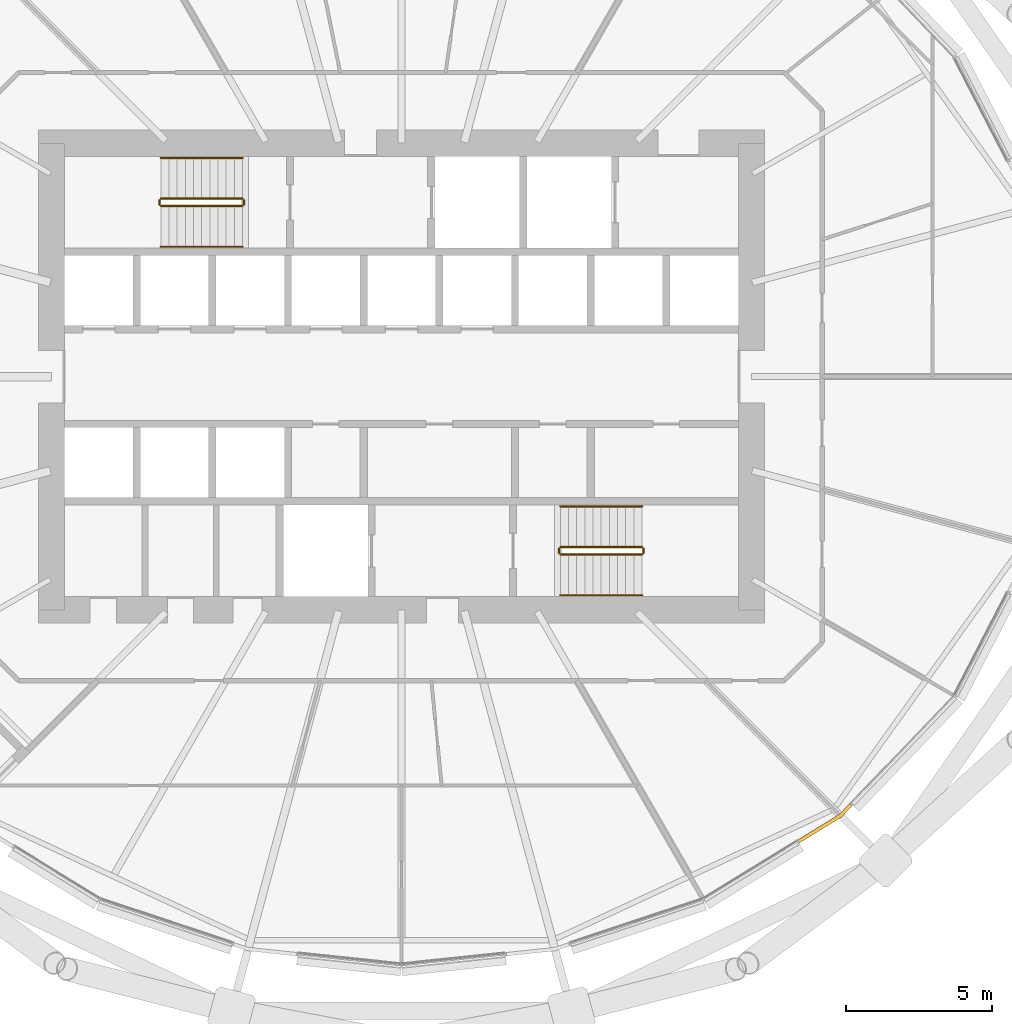
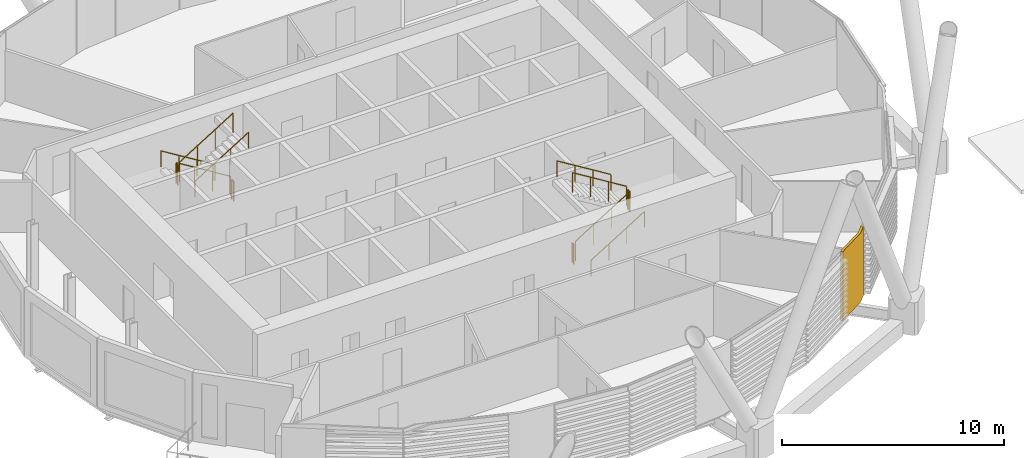
# One storey, part 30 of 34: 12 railings, 1 covering.
"""IFC4 building model written with IfcOpenShell, lengths in metres."""

from ifc_helpers import new_model, si_unit, direction, frame, origin, origin_2d, place, context, subcontext, project, spatial, polyline, circle, outline, extrude, material, layer, layer_set, type_object, element, save


model = new_model("IFC4")

# Units and contexts
model_context = context("Model", 3, precision=1e-05, world=origin(), true_north=direction((0.0, 1.0)))
body_context = subcontext(model_context, "Body", "Model", "MODEL_VIEW")
ifc_project = project(units=[si_unit("LENGTHUNIT", "METRE"), si_unit("AREAUNIT", "SQUARE_METRE"), si_unit("VOLUMEUNIT", "CUBIC_METRE"), si_unit("PLANEANGLEUNIT", "RADIAN"), si_unit("MASSUNIT", "GRAM", prefix="KILO")], contexts=[model_context])

# Site, building, storey
site_placement = place(None, origin())
site = spatial("IfcSite", under=ifc_project, at=site_placement, CompositionType="ELEMENT")
building_placement = place(site_placement, origin())
building = spatial("IfcBuilding", under=site, at=building_placement, Name="Rimbun Link Towers", CompositionType="ELEMENT")
storey_placement = place(building_placement, frame((0.0, 0.0, 41.39990234375)))
storey = spatial("IfcBuildingStorey", under=building, at=storey_placement, Name="L09", CompositionType="ELEMENT", Elevation=41.39990234375)

# Covering
ifc_material_1 = material(Name="Terracotta", Category="masonry")
ifc_layer = layer(ifc_material_1, 0.1201171875)
ifc_layer_set = layer_set([ifc_layer], Name="LINK PIER terracotta cladding 120")
covering_type = type_object("IfcCoveringType", Name="LINK PIER terracotta cladding 120", PredefinedType="CLADDING", material=ifc_layer_set)
covering_placement = place(storey_placement, origin())
element("IfcCovering", 1, at=covering_placement, inside=storey, type_object=covering_type, Name="LINK PIER cladding", PredefinedType="CLADDING", context=body_context, shape_type="SweptSolid", body=[
    extrude(outline(polyline([(-16.376953125, -14.637939453125), (-16.73681640625, -15.01318359375), (-18.159912109375, -15.886962890625), (-18.09716796875, -15.9892578125), (-16.660888671875, -15.107421875), (-16.290283203125, -14.720947265625), (-16.376953125, -14.637939453125)])), origin(), (0.0, 0.0, 1.0), 3.800048828125),
])

# Railings
ifc_material_2 = material(Name="Stainless steel grade 316", Category="steel")
railing_type_1 = type_object("IfcRailingType", Name="Stair guard", PredefinedType="GUARDRAIL", material=ifc_material_2)
railing_1_placement = place(storey_placement, frame((-37.199951171875, 6.10009765625, 0.1728515625)))
element("IfcRailing", 2, at=railing_1_placement, inside=storey, type_object=railing_type_1, Name="L09 ST1 stair guard 1", PredefinedType="GUARDRAIL", context=body_context, shape_type="SweptSolid", body=[
    extrude(circle(Radius=0.02392578125, at=origin_2d()), frame((0.0, 0.0, 1.076171875), z_axis=(-0.851089632645, 0.0, 0.525020415988), x_axis=(0.0, -1.0, 0.0)), (0.0, 0.0, 1.0), 3.2900390625),
    extrude(circle(Radius=0.02099609375, at=origin_2d()), origin(), (0.0, 0.0, 1.0), 1.052001953125),
    extrude(circle(Radius=0.02099609375, at=origin_2d()), frame((-0.933349609375, 0.0, 0.57568359375)), (0.0, 0.0, 1.0), 1.052001953125),
    extrude(circle(Radius=0.02099609375, at=origin_2d()), frame((-1.86669921875, 0.0, 1.151611328125)), (0.0, 0.0, 1.0), 1.052001953125),
    extrude(circle(Radius=0.02099609375, at=origin_2d()), frame((-2.800048828125, 0.0, 1.727294921875)), (0.0, 0.0, 1.0), 1.052001953125),
])
railing_2_placement = place(storey_placement, frame((-40.050048828125, 6.050048828125, 1.900146484375)))
element("IfcRailing", 3, at=railing_2_placement, inside=storey, type_object=railing_type_1, Name="L09 ST1 stair guard 2", PredefinedType="GUARDRAIL", context=body_context, shape_type="SweptSolid", body=[
    extrude(circle(Radius=0.02392578125, at=origin_2d()), frame((0.0, 0.0, 1.076171875), z_axis=(0.0, -1.0, 0.0), x_axis=(1.0, 0.0, 0.0)), (0.0, 0.0, 1.0), 0.150146484375),
    extrude(circle(Radius=0.02099609375, at=origin_2d()), origin(), (0.0, 0.0, 1.0), 1.052001953125),
    extrude(circle(Radius=0.02099609375, at=origin_2d()), frame((0.0, -0.150146484375, 0.0)), (0.0, 0.0, 1.0), 1.052001953125),
])
railing_3_placement = place(storey_placement, frame((-40.0, 5.85009765625, 2.07275390625)))
element("IfcRailing", 4, at=railing_3_placement, inside=storey, type_object=railing_type_1, Name="L09 ST1 stair guard 3", PredefinedType="GUARDRAIL", context=body_context, shape_type="SweptSolid", body=[
    extrude(circle(Radius=0.02392578125, at=origin_2d()), frame((0.0, 0.0, 1.076171875), z_axis=(0.851089632645, 0.0, 0.525020415988), x_axis=(0.0, 1.0, 0.0)), (0.0, 0.0, 1.0), 3.2900390625),
    extrude(circle(Radius=0.02099609375, at=origin_2d()), origin(), (0.0, 0.0, 1.0), 1.052001953125),
    extrude(circle(Radius=0.02099609375, at=origin_2d()), frame((0.933349609375, 0.0, 0.57568359375)), (0.0, 0.0, 1.0), 1.052001953125),
    extrude(circle(Radius=0.02099609375, at=origin_2d()), frame((1.86669921875, 0.0, 1.151611328125)), (0.0, 0.0, 1.0), 1.052001953125),
    extrude(circle(Radius=0.02099609375, at=origin_2d()), frame((2.800048828125, 0.0, 1.727294921875)), (0.0, 0.0, 1.0), 1.052001953125),
])
railing_4_placement = place(storey_placement, frame((-37.14990234375, 6.050048828125, 0.0)))
element("IfcRailing", 5, at=railing_4_placement, inside=storey, type_object=railing_type_1, Name="L09 ST1 stair guard 4", PredefinedType="GUARDRAIL", context=body_context, shape_type="SweptSolid", body=[
    extrude(circle(Radius=0.02392578125, at=origin_2d()), frame((0.0, 0.0, 1.076171875), z_axis=(0.0, -1.0, 0.0), x_axis=(1.0, 0.0, 0.0)), (0.0, 0.0, 1.0), 0.150146484375),
    extrude(circle(Radius=0.02099609375, at=origin_2d()), origin(), (0.0, 0.0, 1.0), 1.052001953125),
    extrude(circle(Radius=0.02099609375, at=origin_2d()), frame((0.0, -0.150146484375, 0.0)), (0.0, 0.0, 1.0), 1.052001953125),
])
railing_5_placement = place(storey_placement, frame((-26.300048828125, -6.10009765625, 0.1728515625)))
element("IfcRailing", 6, at=railing_5_placement, inside=storey, type_object=railing_type_1, Name="L09 ST2 stair guard 1", PredefinedType="GUARDRAIL", context=body_context, shape_type="SweptSolid", body=[
    extrude(circle(Radius=0.02392578125, at=origin_2d()), frame((0.0, 0.0, 1.076171875), z_axis=(0.851089632645, 0.0, 0.525020415988), x_axis=(0.0, 1.0, 0.0)), (0.0, 0.0, 1.0), 3.2900390625),
    extrude(circle(Radius=0.02099609375, at=origin_2d()), origin(), (0.0, 0.0, 1.0), 1.052001953125),
    extrude(circle(Radius=0.02099609375, at=origin_2d()), frame((0.933349609375, 0.0, 0.57568359375)), (0.0, 0.0, 1.0), 1.052001953125),
    extrude(circle(Radius=0.02099609375, at=origin_2d()), frame((1.86669921875, 0.0, 1.151611328125)), (0.0, 0.0, 1.0), 1.052001953125),
    extrude(circle(Radius=0.02099609375, at=origin_2d()), frame((2.800048828125, 0.0, 1.727294921875)), (0.0, 0.0, 1.0), 1.052001953125),
])
railing_6_placement = place(storey_placement, frame((-23.449951171875, -6.050048828125, 1.900146484375)))
element("IfcRailing", 7, at=railing_6_placement, inside=storey, type_object=railing_type_1, Name="L09 ST2 stair guard 2", PredefinedType="GUARDRAIL", context=body_context, shape_type="SweptSolid", body=[
    extrude(circle(Radius=0.02392578125, at=origin_2d()), frame((0.0, 0.0, 1.076171875), z_axis=(0.0, 1.0, 0.0), x_axis=(-1.0, 0.0, 0.0)), (0.0, 0.0, 1.0), 0.150146484375),
    extrude(circle(Radius=0.02099609375, at=origin_2d()), origin(), (0.0, 0.0, 1.0), 1.052001953125),
    extrude(circle(Radius=0.02099609375, at=origin_2d()), frame((0.0, 0.150146484375, 0.0)), (0.0, 0.0, 1.0), 1.052001953125),
])
railing_7_placement = place(storey_placement, frame((-23.5, -5.85009765625, 2.07275390625)))
element("IfcRailing", 8, at=railing_7_placement, inside=storey, type_object=railing_type_1, Name="L09 ST2 stair guard 3", PredefinedType="GUARDRAIL", context=body_context, shape_type="SweptSolid", body=[
    extrude(circle(Radius=0.02392578125, at=origin_2d()), frame((0.0, 0.0, 1.076171875), z_axis=(-0.851089632645, 0.0, 0.525020415988), x_axis=(0.0, -1.0, 0.0)), (0.0, 0.0, 1.0), 3.2900390625),
    extrude(circle(Radius=0.02099609375, at=origin_2d()), origin(), (0.0, 0.0, 1.0), 1.052001953125),
    extrude(circle(Radius=0.02099609375, at=origin_2d()), frame((-0.933349609375, 0.0, 0.57568359375)), (0.0, 0.0, 1.0), 1.052001953125),
    extrude(circle(Radius=0.02099609375, at=origin_2d()), frame((-1.86669921875, 0.0, 1.151611328125)), (0.0, 0.0, 1.0), 1.052001953125),
    extrude(circle(Radius=0.02099609375, at=origin_2d()), frame((-2.800048828125, 0.0, 1.727294921875)), (0.0, 0.0, 1.0), 1.052001953125),
])
railing_8_placement = place(storey_placement, frame((-26.35009765625, -6.050048828125, 0.0)))
element("IfcRailing", 9, at=railing_8_placement, inside=storey, type_object=railing_type_1, Name="L09 ST2 stair guard 4", PredefinedType="GUARDRAIL", context=body_context, shape_type="SweptSolid", body=[
    extrude(circle(Radius=0.02392578125, at=origin_2d()), frame((0.0, 0.0, 1.076171875), z_axis=(0.0, 1.0, 0.0), x_axis=(-1.0, 0.0, 0.0)), (0.0, 0.0, 1.0), 0.150146484375),
    extrude(circle(Radius=0.02099609375, at=origin_2d()), origin(), (0.0, 0.0, 1.0), 1.052001953125),
    extrude(circle(Radius=0.02099609375, at=origin_2d()), frame((0.0, 0.150146484375, 0.0)), (0.0, 0.0, 1.0), 1.052001953125),
])
ifc_material_3 = material(Name="Stainless steel grade 316", Category="steel")
railing_type_2 = type_object("IfcRailingType", Name="Stair handrail", PredefinedType="HANDRAIL", material=ifc_material_3)
railing_9_placement = place(storey_placement, frame((-37.199951171875, 7.5, 0.1728515625)))
element("IfcRailing", 10, at=railing_9_placement, inside=storey, type_object=railing_type_2, Name="L09 ST1 stair handrail 1", PredefinedType="HANDRAIL", context=body_context, shape_type="SweptSolid", body=[
    extrude(circle(Radius=0.02392578125, at=origin_2d()), frame((0.0, 0.0, 0.8759765625), z_axis=(-0.851089632645, 0.0, 0.525020415988), x_axis=(0.0, -1.0, 0.0)), (0.0, 0.0, 1.0), 3.2900390625),
    extrude(circle(Radius=0.02099609375, at=origin_2d()), origin(), (0.0, 0.0, 1.0), 0.851806640625),
    extrude(circle(Radius=0.02099609375, at=origin_2d()), frame((-0.933349609375, 0.0, 0.57568359375)), (0.0, 0.0, 1.0), 0.851806640625),
    extrude(circle(Radius=0.02099609375, at=origin_2d()), frame((-1.86669921875, 0.0, 1.151611328125)), (0.0, 0.0, 1.0), 0.851806640625),
    extrude(circle(Radius=0.02099609375, at=origin_2d()), frame((-2.800048828125, 0.0, 1.727294921875)), (0.0, 0.0, 1.0), 0.851806640625),
])
for number, where, name in (
    (11, (-40.0, 4.449951171875, 2.07275390625), "L09 ST1 stair handrail 2"),
    (12, (-26.300048828125, -7.5, 0.1728515625), "L09 ST2 stair handrail 1"),
):
    element("IfcRailing", number, at=place(storey_placement, frame(where)), inside=storey, type_object=railing_type_2, Name=name, PredefinedType="HANDRAIL", context=body_context, shape_type="SweptSolid", body=[
        extrude(circle(Radius=0.02392578125, at=origin_2d()), frame((0.0, 0.0, 0.8759765625), z_axis=(0.851089632645, 0.0, 0.525020415988), x_axis=(0.0, 1.0, 0.0)), (0.0, 0.0, 1.0), 3.2900390625),
        extrude(circle(Radius=0.02099609375, at=origin_2d()), origin(), (0.0, 0.0, 1.0), 0.851806640625),
        extrude(circle(Radius=0.02099609375, at=origin_2d()), frame((0.933349609375, 0.0, 0.57568359375)), (0.0, 0.0, 1.0), 0.851806640625),
        extrude(circle(Radius=0.02099609375, at=origin_2d()), frame((1.86669921875, 0.0, 1.151611328125)), (0.0, 0.0, 1.0), 0.851806640625),
        extrude(circle(Radius=0.02099609375, at=origin_2d()), frame((2.800048828125, 0.0, 1.727294921875)), (0.0, 0.0, 1.0), 0.851806640625),
    ])
railing_10_placement = place(storey_placement, frame((-23.5, -4.449951171875, 2.07275390625)))
element("IfcRailing", 13, at=railing_10_placement, inside=storey, type_object=railing_type_2, Name="L09 ST2 stair handrail 2", PredefinedType="HANDRAIL", context=body_context, shape_type="SweptSolid", body=[
    extrude(circle(Radius=0.02392578125, at=origin_2d()), frame((0.0, 0.0, 0.8759765625), z_axis=(-0.851089632645, 0.0, 0.525020415988), x_axis=(0.0, -1.0, 0.0)), (0.0, 0.0, 1.0), 3.2900390625),
    extrude(circle(Radius=0.02099609375, at=origin_2d()), origin(), (0.0, 0.0, 1.0), 0.851806640625),
    extrude(circle(Radius=0.02099609375, at=origin_2d()), frame((-0.933349609375, 0.0, 0.57568359375)), (0.0, 0.0, 1.0), 0.851806640625),
    extrude(circle(Radius=0.02099609375, at=origin_2d()), frame((-1.86669921875, 0.0, 1.151611328125)), (0.0, 0.0, 1.0), 0.851806640625),
    extrude(circle(Radius=0.02099609375, at=origin_2d()), frame((-2.800048828125, 0.0, 1.727294921875)), (0.0, 0.0, 1.0), 0.851806640625),
])

save(model, "model.ifc")
